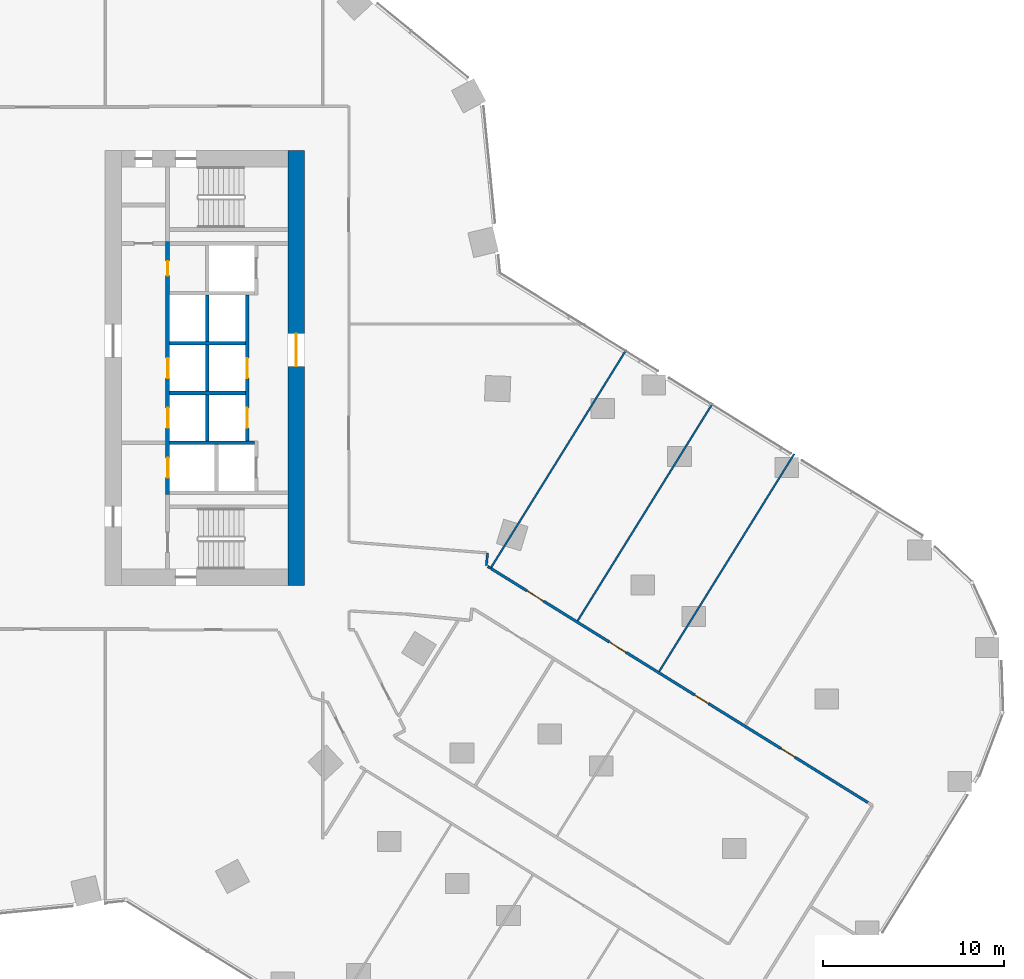
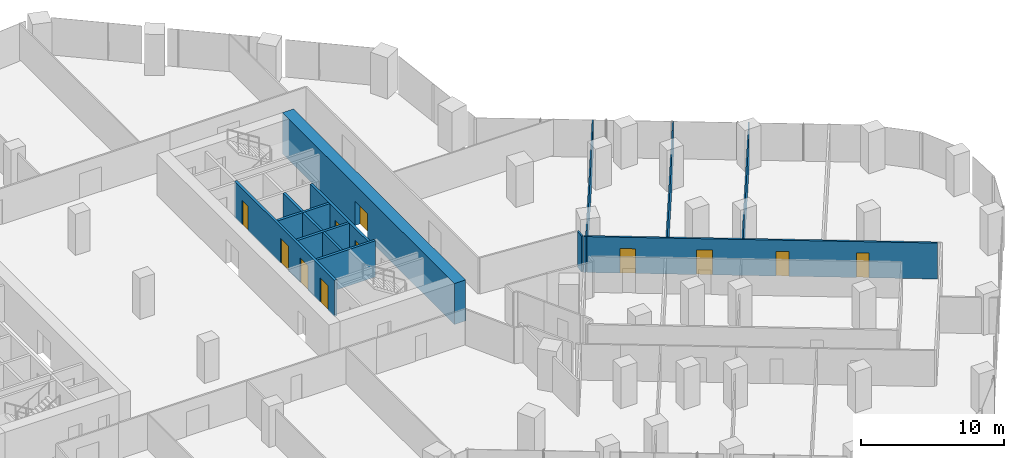
# One storey, part 31 of 34: 15 walls, 11 doors, 11 openings.
"""IFC4 building model written with IfcOpenShell, lengths in metres."""

from ifc_helpers import new_model, si_unit, direction, frame, frame_2d, origin, place, context, subcontext, project, spatial, rectangle, extrude, material, layer, layer_set, type_object, element, fill, save


model = new_model("IFC4")

# Units and contexts
model_context = context("Model", 3, precision=1e-05, world=origin(), true_north=direction((0.0, 1.0)))
body_context = subcontext(model_context, "Body", "Model", "MODEL_VIEW")
ifc_project = project(units=[si_unit("LENGTHUNIT", "METRE"), si_unit("AREAUNIT", "SQUARE_METRE"), si_unit("VOLUMEUNIT", "CUBIC_METRE"), si_unit("PLANEANGLEUNIT", "RADIAN"), si_unit("MASSUNIT", "GRAM", prefix="KILO")], contexts=[model_context])

# Site, building, storey
site_placement = place(None, origin())
site = spatial("IfcSite", under=ifc_project, at=site_placement, CompositionType="ELEMENT")
building_placement = place(site_placement, origin())
building = spatial("IfcBuilding", under=site, at=building_placement, Name="Orlundy Tower", CompositionType="ELEMENT")
storey_placement = place(building_placement, frame((0.0, 0.0, 44.300048828125)))
storey = spatial("IfcBuildingStorey", under=building, at=storey_placement, Name="L09", CompositionType="ELEMENT", Elevation=44.300048828125)

# Wall, opening, door
ifc_material_1 = material(Name="Concrete C80/95", Category="concrete")
ifc_layer_1 = layer(ifc_material_1, 0.89990234375)
ifc_layer_set_1 = layer_set([ifc_layer_1], Name="CORE WALL 900 C80/95")
wall_type_1 = type_object("IfcWallType", Name="CORE WALL 900 C80/95", PredefinedType="SHEAR", material=ifc_layer_set_1)
wall_1_placement = place(storey_placement, frame((18.550048828125, -12.0, 0.0), z_axis=(0.0, 0.0, 1.0), x_axis=(0.0, 1.0, 0.0)))
wall_1 = element("IfcWall", 1, at=wall_1_placement, inside=storey, type_object=wall_type_1, Name="Core wall E-E L09", PredefinedType="SHEAR", context=body_context, shape_type="SweptSolid", body=[
    extrude(rectangle(XDim=24.0, YDim=0.89990234375, at=frame_2d((12.0, 0.0))), origin(), (0.0, 0.0, 1.0), 3.5),
])
opening_1_placement = place(wall_1_placement, frame((12.10009765625, 0.0, 0.0)))
opening_1 = element("IfcOpeningElement", 2, at=opening_1_placement, cuts=wall_1, Name="Opening 09059", PredefinedType="OPENING", context=body_context, shape_type="SweptSolid", body=[
    extrude(rectangle(XDim=1.800048828125, YDim=2.10009765625, at=frame_2d((0.89990234375, 1.050048828125))), frame((0.0, 0.4599609375, 0.0), z_axis=(0.0, -1.0, 0.0), x_axis=(1.0, 0.0, 0.0)), (0.0, 0.0, 1.0), 0.919921875),
])
ifc_material_2 = material(Name="Timber door set", Category="wood")
door_type_1 = type_object("IfcDoorType", Name="Lobby Door 1800x2100", OperationType="DOUBLE_DOOR_DOUBLE_SWING", PredefinedType="DOOR", material=ifc_material_2)
door_1_placement = place(opening_1_placement, origin())
door_1 = element("IfcDoor", 3, at=door_1_placement, inside=storey, type_object=door_type_1, Name="Lift lobby door 09059", OperationType="SINGLE_SWING_RIGHT", OverallHeight=2.10009765625, OverallWidth=1.800048828125, PredefinedType="DOOR", context=body_context, shape_type="SweptSolid", body=[
    extrude(rectangle(XDim=1.800048828125, YDim=2.10009765625, at=frame_2d((0.89990234375, 1.050048828125))), frame((0.0, 0.02490234375, 0.0), z_axis=(0.0, -1.0, 0.0), x_axis=(1.0, 0.0, 0.0)), (0.0, 0.0, 1.0), 0.050048828125),
])
fill(opening_1, door_1)

# Walls
ifc_material_3 = material(Name="Gypsum board partition")
ifc_layer_2 = layer(ifc_material_3, 0.10009765625)
ifc_layer_set_2 = layer_set([ifc_layer_2], Name="Floor partition 100")
wall_type_2 = type_object("IfcWallType", Name="Floor partition 100", PredefinedType="PARTITIONING", material=ifc_layer_set_2)
for number, where, z_axis, x_axis, name in (
    (4, (38.573974609375, -16.737060546875, 0.0), (0.0, 0.0, 1.0), (0.527429557997, 0.849598764919, 0.0), "wall-int-L09-062"),
    (5, (34.072021484375, -13.94189453125, 0.0), (0.0, 0.0, 1.0), (0.527437304247, 0.84959395601, 0.0), "wall-int-L09-065"),
):
    element("IfcWall", number, at=place(storey_placement, frame(where, z_axis=z_axis, x_axis=x_axis)), inside=storey, type_object=wall_type_2, Name=name, PredefinedType="PARTITIONING", context=body_context, shape_type="SweptSolid", body=[
        extrude(rectangle(XDim=14.123046875, YDim=0.10009765625, at=frame_2d((7.0615234375, 0.0))), origin(), (0.0, 0.0, 1.0), 3.06005859375),
    ])
wall_2_placement = place(storey_placement, frame((29.26806640625, -11.048095703125, 0.0), z_axis=(0.0, 0.0, 1.0), x_axis=(0.527446323462, 0.849588356716, 0.0)))
element("IfcWall", 6, at=wall_2_placement, inside=storey, type_object=wall_type_2, Name="wall-int-L09-068", PredefinedType="PARTITIONING", context=body_context, shape_type="SweptSolid", body=[
    extrude(rectangle(XDim=14.19873046875, YDim=0.10009765625, at=frame_2d((7.099365234375, 0.0))), origin(), (0.0, 0.0, 1.0), 3.06005859375),
])
ifc_material_4 = material(Name="Gypsum board partition, double layer")
ifc_layer_3 = layer(ifc_material_4, 0.125)
ifc_layer_set_3 = layer_set([ifc_layer_3], Name="Floor partition 125")
wall_type_3 = type_object("IfcWallType", Name="Floor partition 125", PredefinedType="PARTITIONING", material=ifc_layer_set_3)
wall_3_placement = place(storey_placement, frame((29.116943359375, -10.955078125, 0.0), z_axis=(0.0, 0.0, 1.0), x_axis=(0.851611075983, -0.524174184087, 0.0)))
element("IfcWall", 7, at=wall_3_placement, inside=storey, type_object=wall_type_3, Name="wall-int-L09-027", PredefinedType="PARTITIONING", context=body_context, shape_type="SweptSolid", body=[
    extrude(rectangle(XDim=0.177490234375, YDim=0.125, at=frame_2d((0.0888671875, 0.0))), origin(), (0.0, 0.0, 1.0), 3.06005859375),
])
wall_4_placement = place(storey_placement, frame((29.031982421875, -10.902099609375, 0.0), z_axis=(0.0, 0.0, 1.0), x_axis=(0.098777968406, 0.995109497974, 0.0)))
element("IfcWall", 8, at=wall_4_placement, inside=storey, type_object=wall_type_3, Name="wall-int-L09-071", PredefinedType="PARTITIONING", context=body_context, shape_type="SweptSolid", body=[
    extrude(rectangle(XDim=0.699462890625, YDim=0.125, at=frame_2d((0.349609375, 0.0))), origin(), (0.0, 0.0, 1.0), 3.06005859375),
])

# Wall, openings, doors
ifc_material_5 = material(Name="Blockwork shaft wall", Category="masonry")
ifc_layer_4 = layer(ifc_material_5, 0.14990234375)
ifc_layer_set_4 = layer_set([ifc_layer_4], Name="Floor shaft wall 150")
wall_type_4 = type_object("IfcWallType", Name="Floor shaft wall 150", PredefinedType="PARTITIONING", material=ifc_layer_set_4)
wall_5_placement = place(storey_placement, frame((29.31005859375, -11.073974609375, 0.0), z_axis=(0.0, 0.0, 1.0), x_axis=(0.849545912719, -0.527514684329, 0.0)))
wall_5 = element("IfcWall", 9, at=wall_5_placement, inside=storey, type_object=wall_type_4, Name="wall-int-L09-026", PredefinedType="PARTITIONING", context=body_context, shape_type="SweptSolid", body=[
    extrude(rectangle(XDim=24.45654296875, YDim=0.14990234375, at=frame_2d((12.228271484375, 0.0))), origin(), (0.0, 0.0, 1.0), 3.06005859375),
])
opening_2_placement = place(wall_5_placement, frame((2.300048828125, 0.0, 0.0)))
opening_2 = element("IfcOpeningElement", 10, at=opening_2_placement, cuts=wall_5, Name="Opening 09100", PredefinedType="OPENING", context=body_context, shape_type="SweptSolid", body=[
    extrude(rectangle(XDim=1.10009765625, YDim=2.10009765625, at=frame_2d((0.550048828125, 1.050048828125))), frame((0.0, 0.0849609375, 0.0), z_axis=(0.0, -1.0, 0.0), x_axis=(1.0, 0.0, 0.0)), (0.0, 0.0, 1.0), 0.169921875),
])
opening_3_placement = place(wall_5_placement, frame((7.65771484375, 0.0, 0.0)))
opening_3 = element("IfcOpeningElement", 11, at=opening_3_placement, cuts=wall_5, Name="Opening 09101", PredefinedType="OPENING", context=body_context, shape_type="SweptSolid", body=[
    extrude(rectangle(XDim=1.10009765625, YDim=2.10009765625, at=frame_2d((0.550048828125, 1.050048828125))), frame((0.0, 0.0849609375, 0.0), z_axis=(0.0, -1.0, 0.0), x_axis=(1.0, 0.0, 0.0)), (0.0, 0.0, 1.0), 0.169921875),
])
opening_4_placement = place(wall_5_placement, frame((13.206787109375, 0.0, 0.0)))
opening_4 = element("IfcOpeningElement", 12, at=opening_4_placement, cuts=wall_5, Name="Opening 09104", PredefinedType="OPENING", context=body_context, shape_type="SweptSolid", body=[
    extrude(rectangle(XDim=0.89990234375, YDim=2.10009765625, at=frame_2d((0.449951171875, 1.050048828125))), frame((0.0, 0.0849609375, 0.0), z_axis=(0.0, -1.0, 0.0), x_axis=(1.0, 0.0, 0.0)), (0.0, 0.0, 1.0), 0.169921875),
])
opening_5_placement = place(wall_5_placement, frame((18.806396484375, 0.0, 0.0)))
opening_5 = element("IfcOpeningElement", 13, at=opening_5_placement, cuts=wall_5, Name="Opening 09107", PredefinedType="OPENING", context=body_context, shape_type="SweptSolid", body=[
    extrude(rectangle(XDim=0.89990234375, YDim=2.10009765625, at=frame_2d((0.449951171875, 1.050048828125))), frame((0.0, 0.0849609375, 0.0), z_axis=(0.0, -1.0, 0.0), x_axis=(1.0, 0.0, 0.0)), (0.0, 0.0, 1.0), 0.169921875),
])
ifc_material_6 = material(Name="Timber door leaf", Category="wood")
door_type_2 = type_object("IfcDoorType", Name="Floor door single 900 FD60", OperationType="NOTDEFINED", PredefinedType="DOOR", material=ifc_material_6)
door_2_placement = place(opening_4_placement, origin())
door_2 = element("IfcDoor", 14, at=door_2_placement, inside=storey, type_object=door_type_2, Name="Door 09104", OperationType="SINGLE_SWING_RIGHT", OverallHeight=2.10009765625, OverallWidth=0.89990234375, PredefinedType="DOOR", context=body_context, shape_type="SweptSolid", body=[
    extrude(rectangle(XDim=0.89990234375, YDim=2.10009765625, at=frame_2d((0.449951171875, 1.050048828125))), frame((0.0, 0.02490234375, 0.0), z_axis=(0.0, -1.0, 0.0), x_axis=(1.0, 0.0, 0.0)), (0.0, 0.0, 1.0), 0.050048828125),
])
fill(opening_4, door_2)
door_3_placement = place(opening_5_placement, origin())
door_3 = element("IfcDoor", 15, at=door_3_placement, inside=storey, type_object=door_type_2, Name="Door 09107", OperationType="SINGLE_SWING_RIGHT", OverallHeight=2.10009765625, OverallWidth=0.89990234375, PredefinedType="DOOR", context=body_context, shape_type="SweptSolid", body=[
    extrude(rectangle(XDim=0.89990234375, YDim=2.10009765625, at=frame_2d((0.449951171875, 1.050048828125))), frame((0.0, 0.02490234375, 0.0), z_axis=(0.0, -1.0, 0.0), x_axis=(1.0, 0.0, 0.0)), (0.0, 0.0, 1.0), 0.050048828125),
])
fill(opening_5, door_3)
ifc_material_7 = material(Name="Timber door leaf", Category="wood")
door_type_3 = type_object("IfcDoorType", Name="Floor door xwide 1100 FD60", OperationType="NOTDEFINED", PredefinedType="DOOR", material=ifc_material_7)
door_4_placement = place(opening_2_placement, origin())
door_4 = element("IfcDoor", 16, at=door_4_placement, inside=storey, type_object=door_type_3, Name="Door 09100", OperationType="SINGLE_SWING_LEFT", OverallHeight=2.10009765625, OverallWidth=1.10009765625, PredefinedType="DOOR", context=body_context, shape_type="SweptSolid", body=[
    extrude(rectangle(XDim=1.10009765625, YDim=2.10009765625, at=frame_2d((0.550048828125, 1.050048828125))), frame((0.0, 0.02490234375, 0.0), z_axis=(0.0, -1.0, 0.0), x_axis=(1.0, 0.0, 0.0)), (0.0, 0.0, 1.0), 0.050048828125),
])
fill(opening_2, door_4)
door_5_placement = place(opening_3_placement, origin())
door_5 = element("IfcDoor", 17, at=door_5_placement, inside=storey, type_object=door_type_3, Name="Door 09101", OperationType="SINGLE_SWING_LEFT", OverallHeight=2.10009765625, OverallWidth=1.10009765625, PredefinedType="DOOR", context=body_context, shape_type="SweptSolid", body=[
    extrude(rectangle(XDim=1.10009765625, YDim=2.10009765625, at=frame_2d((0.550048828125, 1.050048828125))), frame((0.0, 0.02490234375, 0.0), z_axis=(0.0, -1.0, 0.0), x_axis=(1.0, 0.0, 0.0)), (0.0, 0.0, 1.0), 0.050048828125),
])
fill(opening_3, door_5)

# Walls
ifc_material_8 = material(Name="Fire-rated blockwork shaft wall", Category="masonry")
ifc_layer_5 = layer(ifc_material_8, 0.199951171875)
ifc_layer_set_5 = layer_set([ifc_layer_5], Name="Shaft Wall 200")
wall_type_5 = type_object("IfcWallType", Name="Shaft Wall 200", PredefinedType="SOLIDWALL", material=ifc_layer_set_5)
for number, where, z_axis, x_axis, name in (
    (18, (11.5400390625, 1.375, 0.0), (0.0, 0.0, 1.0), (1.0, 0.0, 0.0), "Shaft wall E09-cross-1.375"),
    (19, (11.5400390625, -1.375, 0.0), (0.0, 0.0, 1.0), (1.0, 0.0, 0.0), "Shaft wall E09-cross+1.375"),
):
    element("IfcWall", number, at=place(storey_placement, frame(where, z_axis=z_axis, x_axis=x_axis)), inside=storey, type_object=wall_type_5, Name=name, PredefinedType="SOLIDWALL", context=body_context, shape_type="SweptSolid", body=[
        extrude(rectangle(XDim=4.199951171875, YDim=0.199951171875, at=frame_2d((2.10009765625, 0.0))), origin(), (0.0, 0.0, 1.0), 3.079833984375),
    ])
wall_6_placement = place(storey_placement, frame((11.5400390625, -4.125, 0.0), z_axis=(0.0, 0.0, 1.0), x_axis=(1.0, 0.0, 0.0)))
element("IfcWall", 20, at=wall_6_placement, inside=storey, type_object=wall_type_5, Name="Shaft wall E09-cross+4.125", PredefinedType="SOLIDWALL", context=body_context, shape_type="SweptSolid", body=[
    extrude(rectangle(XDim=4.699951171875, YDim=0.199951171875, at=frame_2d((2.35009765625, 0.0))), origin(), (0.0, 0.0, 1.0), 3.079833984375),
])

# Wall, openings, doors
wall_7_placement = place(storey_placement, frame((11.43994140625, 6.97509765625, 0.0), z_axis=(0.0, 0.0, 1.0), x_axis=(0.0, -1.0, 0.0)))
wall_7 = element("IfcWall", 21, at=wall_7_placement, inside=storey, type_object=wall_type_5, Name="Shaft wall E09-front-h", PredefinedType="SOLIDWALL", context=body_context, shape_type="SweptSolid", body=[
    extrude(rectangle(XDim=13.9501953125, YDim=0.199951171875, at=frame_2d((6.97509765625, 0.0))), origin(), (0.0, 0.0, 1.0), 3.079833984375),
])
opening_6_placement = place(wall_7_placement, frame((6.425048828125, 0.0, 0.0)))
opening_6 = element("IfcOpeningElement", 22, at=opening_6_placement, cuts=wall_7, Name="Opening 09051", PredefinedType="OPENING", context=body_context, shape_type="SweptSolid", body=[
    extrude(rectangle(XDim=1.10009765625, YDim=2.10009765625, at=frame_2d((0.550048828125, 1.050048828125))), frame((0.0, 0.110107421875, 0.0), z_axis=(0.0, -1.0, 0.0), x_axis=(1.0, 0.0, 0.0)), (0.0, 0.0, 1.0), 0.22021484375),
])
opening_7_placement = place(wall_7_placement, frame((9.175048828125, 0.0, 0.0)))
opening_7 = element("IfcOpeningElement", 23, at=opening_7_placement, cuts=wall_7, Name="Opening 09053", PredefinedType="OPENING", context=body_context, shape_type="SweptSolid", body=[
    extrude(rectangle(XDim=1.10009765625, YDim=2.10009765625, at=frame_2d((0.550048828125, 1.050048828125))), frame((0.0, 0.110107421875, 0.0), z_axis=(0.0, -1.0, 0.0), x_axis=(1.0, 0.0, 0.0)), (0.0, 0.0, 1.0), 0.22021484375),
])
opening_8_placement = place(wall_7_placement, frame((11.925048828125, 0.0, 0.0)))
opening_8 = element("IfcOpeningElement", 24, at=opening_8_placement, cuts=wall_7, Name="Opening 09055", PredefinedType="OPENING", context=body_context, shape_type="SweptSolid", body=[
    extrude(rectangle(XDim=1.10009765625, YDim=2.10009765625, at=frame_2d((0.550048828125, 1.050048828125))), frame((0.0, 0.110107421875, 0.0), z_axis=(0.0, -1.0, 0.0), x_axis=(1.0, 0.0, 0.0)), (0.0, 0.0, 1.0), 0.22021484375),
])
opening_9_placement = place(wall_7_placement, frame((1.074951171875, 0.0, 0.0)))
opening_9 = element("IfcOpeningElement", 25, at=opening_9_placement, cuts=wall_7, Name="Opening 09057", PredefinedType="OPENING", context=body_context, shape_type="SweptSolid", body=[
    extrude(rectangle(XDim=0.800048828125, YDim=2.10009765625, at=frame_2d((0.39990234375, 1.050048828125))), frame((0.0, 0.110107421875, 0.0), z_axis=(0.0, -1.0, 0.0), x_axis=(1.0, 0.0, 0.0)), (0.0, 0.0, 1.0), 0.22021484375),
])
ifc_material_9 = material(Name="Steel door set", Category="steel")
door_type_4 = type_object("IfcDoorType", Name="Landing Door 1100x2100", OperationType="DOUBLE_DOOR_SLIDING", PredefinedType="DOOR", material=ifc_material_9)
door_6_placement = place(opening_6_placement, origin())
door_6 = element("IfcDoor", 26, at=door_6_placement, inside=storey, type_object=door_type_4, Name="Lift landing door LP-10 09051", OperationType="DOUBLE_DOOR_SLIDING", OverallHeight=2.10009765625, OverallWidth=1.10009765625, PredefinedType="DOOR", context=body_context, shape_type="SweptSolid", body=[
    extrude(rectangle(XDim=1.10009765625, YDim=2.10009765625, at=frame_2d((0.550048828125, 1.050048828125))), frame((0.0, 0.02490234375, 0.0), z_axis=(0.0, -1.0, 0.0), x_axis=(1.0, 0.0, 0.0)), (0.0, 0.0, 1.0), 0.050048828125),
])
fill(opening_6, door_6)
door_7_placement = place(opening_7_placement, origin())
door_7 = element("IfcDoor", 27, at=door_7_placement, inside=storey, type_object=door_type_4, Name="Lift landing door LP-07 09053", OperationType="DOUBLE_DOOR_SLIDING", OverallHeight=2.10009765625, OverallWidth=1.10009765625, PredefinedType="DOOR", context=body_context, shape_type="SweptSolid", body=[
    extrude(rectangle(XDim=1.10009765625, YDim=2.10009765625, at=frame_2d((0.550048828125, 1.050048828125))), frame((0.0, 0.02490234375, 0.0), z_axis=(0.0, -1.0, 0.0), x_axis=(1.0, 0.0, 0.0)), (0.0, 0.0, 1.0), 0.050048828125),
])
fill(opening_7, door_7)
door_8_placement = place(opening_8_placement, origin())
door_8 = element("IfcDoor", 28, at=door_8_placement, inside=storey, type_object=door_type_4, Name="Lift landing door FL2 09055", OperationType="DOUBLE_DOOR_SLIDING", OverallHeight=2.10009765625, OverallWidth=1.10009765625, PredefinedType="DOOR", context=body_context, shape_type="SweptSolid", body=[
    extrude(rectangle(XDim=1.10009765625, YDim=2.10009765625, at=frame_2d((0.550048828125, 1.050048828125))), frame((0.0, 0.02490234375, 0.0), z_axis=(0.0, -1.0, 0.0), x_axis=(1.0, 0.0, 0.0)), (0.0, 0.0, 1.0), 0.050048828125),
])
fill(opening_8, door_8)
ifc_material_10 = material(Name="Timber door set", Category="wood")
door_type_5 = type_object("IfcDoorType", Name="Riser Door 800x2100", OperationType="SINGLE_SWING_LEFT", PredefinedType="DOOR", material=ifc_material_10)
door_9_placement = place(opening_9_placement, origin())
door_9 = element("IfcDoor", 29, at=door_9_placement, inside=storey, type_object=door_type_5, Name="Electrical Riser Room door 09057", OperationType="SINGLE_SWING_LEFT", OverallHeight=2.10009765625, OverallWidth=0.800048828125, PredefinedType="DOOR", context=body_context, shape_type="SweptSolid", body=[
    extrude(rectangle(XDim=0.800048828125, YDim=2.10009765625, at=frame_2d((0.39990234375, 1.050048828125))), frame((0.0, 0.02490234375, 0.0), z_axis=(0.0, -1.0, 0.0), x_axis=(1.0, 0.0, 0.0)), (0.0, 0.0, 1.0), 0.050048828125),
])
fill(opening_9, door_9)

# Walls
for number, where, z_axis, x_axis, name in (
    (30, (13.639892578125, 4.02490234375, 0.0), (0.0, 0.0, 1.0), (0.0, -1.0, 0.0), "Shaft wall E09-mid-a.1"),
    (31, (13.639892578125, 1.27490234375, 0.0), (0.0, 0.0, 1.0), (0.0, -1.0, 0.0), "Shaft wall E09-mid-a.2"),
    (32, (13.639892578125, -1.47509765625, 0.0), (0.0, 0.0, 1.0), (0.0, -1.0, 0.0), "Shaft wall E09-mid-a.3"),
):
    element("IfcWall", number, at=place(storey_placement, frame(where, z_axis=z_axis, x_axis=x_axis)), inside=storey, type_object=wall_type_5, Name=name, PredefinedType="SOLIDWALL", context=body_context, shape_type="SweptSolid", body=[
        extrude(rectangle(XDim=2.5498046875, YDim=0.199951171875, at=frame_2d((1.27490234375, 0.0))), origin(), (0.0, 0.0, 1.0), 3.079833984375),
    ])

# Wall, openings, doors
wall_8_placement = place(storey_placement, frame((15.840087890625, 4.02490234375, 0.0), z_axis=(0.0, 0.0, 1.0), x_axis=(0.0, -1.0, 0.0)))
wall_8 = element("IfcWall", 33, at=wall_8_placement, inside=storey, type_object=wall_type_5, Name="Shaft wall E09-front-o-b", PredefinedType="SOLIDWALL", context=body_context, shape_type="SweptSolid", body=[
    extrude(rectangle(XDim=8.0498046875, YDim=0.199951171875, at=frame_2d((4.02490234375, 0.0))), origin(), (0.0, 0.0, 1.0), 3.079833984375),
])
opening_10_placement = place(wall_8_placement, frame((3.47509765625, 0.0, 0.0)))
opening_10 = element("IfcOpeningElement", 34, at=opening_10_placement, cuts=wall_8, Name="Opening 09052", PredefinedType="OPENING", context=body_context, shape_type="SweptSolid", body=[
    extrude(rectangle(XDim=1.10009765625, YDim=2.10009765625, at=frame_2d((0.550048828125, 1.050048828125))), frame((0.0, 0.110107421875, 0.0), z_axis=(0.0, -1.0, 0.0), x_axis=(1.0, 0.0, 0.0)), (0.0, 0.0, 1.0), 0.22021484375),
])
opening_11_placement = place(wall_8_placement, frame((6.22509765625, 0.0, 0.0)))
opening_11 = element("IfcOpeningElement", 35, at=opening_11_placement, cuts=wall_8, Name="Opening 09054", PredefinedType="OPENING", context=body_context, shape_type="SweptSolid", body=[
    extrude(rectangle(XDim=1.10009765625, YDim=2.10009765625, at=frame_2d((0.550048828125, 1.050048828125))), frame((0.0, 0.110107421875, 0.0), z_axis=(0.0, -1.0, 0.0), x_axis=(1.0, 0.0, 0.0)), (0.0, 0.0, 1.0), 0.22021484375),
])
door_10_placement = place(opening_10_placement, origin())
door_10 = element("IfcDoor", 36, at=door_10_placement, inside=storey, type_object=door_type_4, Name="Lift landing door LP-06 09052", OperationType="DOUBLE_DOOR_SLIDING", OverallHeight=2.10009765625, OverallWidth=1.10009765625, PredefinedType="DOOR", context=body_context, shape_type="SweptSolid", body=[
    extrude(rectangle(XDim=1.10009765625, YDim=2.10009765625, at=frame_2d((0.550048828125, 1.050048828125))), frame((0.0, 0.02490234375, 0.0), z_axis=(0.0, -1.0, 0.0), x_axis=(1.0, 0.0, 0.0)), (0.0, 0.0, 1.0), 0.050048828125),
])
fill(opening_10, door_10)
door_11_placement = place(opening_11_placement, origin())
door_11 = element("IfcDoor", 37, at=door_11_placement, inside=storey, type_object=door_type_4, Name="Lift landing door LP-08 09054", OperationType="DOUBLE_DOOR_SLIDING", OverallHeight=2.10009765625, OverallWidth=1.10009765625, PredefinedType="DOOR", context=body_context, shape_type="SweptSolid", body=[
    extrude(rectangle(XDim=1.10009765625, YDim=2.10009765625, at=frame_2d((0.550048828125, 1.050048828125))), frame((0.0, 0.02490234375, 0.0), z_axis=(0.0, -1.0, 0.0), x_axis=(1.0, 0.0, 0.0)), (0.0, 0.0, 1.0), 0.050048828125),
])
fill(opening_11, door_11)

save(model, "model.ifc")
